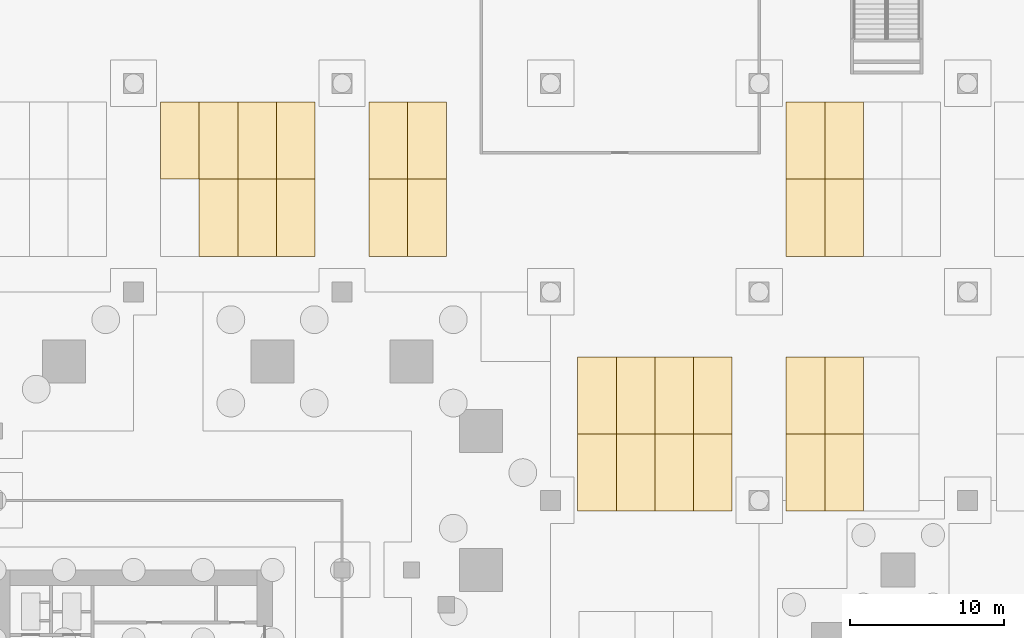
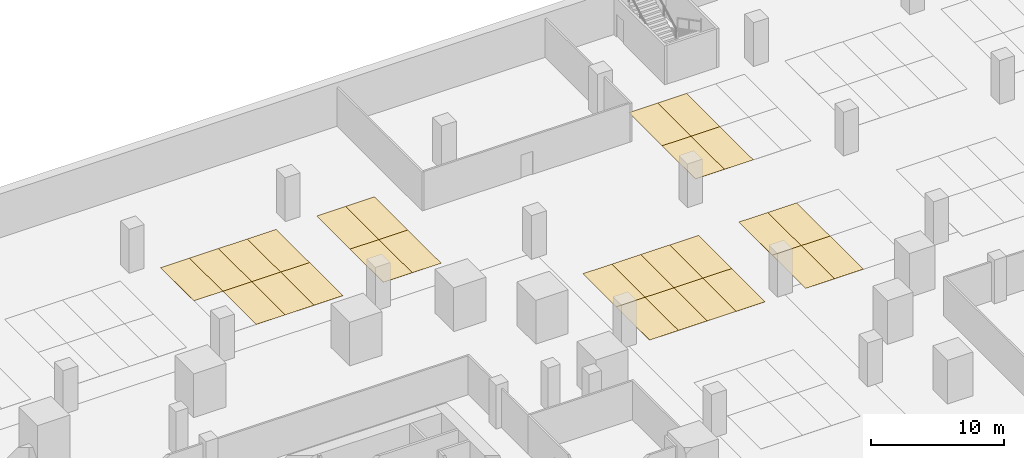
# One storey, part 34 of 40: 27 coverings.
"""IFC4 building model written with IfcOpenShell, lengths in metres."""

from ifc_helpers import new_model, si_unit, direction, frame, origin, place, context, subcontext, project, spatial, polyline, outline, extrude, material, layer, layer_set, type_object, element, save


model = new_model("IFC4")

# Units and contexts
model_context = context("Model", 3, precision=1e-05, world=origin(), true_north=direction((0.0, 1.0)))
body_context = subcontext(model_context, "Body", "Model", "MODEL_VIEW")
ifc_project = project(units=[si_unit("LENGTHUNIT", "METRE"), si_unit("AREAUNIT", "SQUARE_METRE"), si_unit("VOLUMEUNIT", "CUBIC_METRE"), si_unit("PLANEANGLEUNIT", "RADIAN"), si_unit("MASSUNIT", "GRAM", prefix="KILO")], contexts=[model_context])

# Site, building, storey
site_placement = place(None, origin())
site = spatial("IfcSite", under=ifc_project, at=site_placement, CompositionType="ELEMENT")
building_placement = place(site_placement, origin())
building = spatial("IfcBuilding", under=site, at=building_placement, Name="Altepetl Exchange Towers", CompositionType="ELEMENT")
storey_placement = place(building_placement, frame((0.0, 0.0, -8.0)))
storey = spatial("IfcBuildingStorey", under=building, at=storey_placement, Name="B2 Basement parking", CompositionType="ELEMENT", Elevation=-8.0)

# Coverings
ifc_material = material(Name="Road marking paint")
ifc_layer = layer(ifc_material, 0.010009765625)
ifc_layer_set = layer_set([ifc_layer], Name="Road marking paint")
covering_type = type_object("IfcCoveringType", Name="Parking bay marking 2500 x 5000", PredefinedType="FLOORING", material=ifc_layer_set)
covering_1_placement = place(storey_placement, origin())
element("IfcCovering", 1, at=covering_1_placement, inside=storey, type_object=covering_type, Name="Parking bay B2-091", PredefinedType="FLOORING", context=body_context, shape_type="SweptSolid", body=[
    extrude(outline(polyline([(78.25, 62.300048828125), (80.75, 62.300048828125), (80.75, 67.300048828125), (78.25, 67.300048828125), (78.25, 62.300048828125)])), origin(), (0.0, 0.0, 1.0), 0.010009765625),
])
covering_2_placement = place(storey_placement, origin())
element("IfcCovering", 2, at=covering_2_placement, inside=storey, type_object=covering_type, Name="Parking bay B2-092", PredefinedType="FLOORING", context=body_context, shape_type="SweptSolid", body=[
    extrude(outline(polyline([(80.75, 62.300048828125), (83.25, 62.300048828125), (83.25, 67.300048828125), (80.75, 67.300048828125), (80.75, 62.300048828125)])), origin(), (0.0, 0.0, 1.0), 0.010009765625),
])
covering_3_placement = place(storey_placement, origin())
element("IfcCovering", 3, at=covering_3_placement, inside=storey, type_object=covering_type, Name="Parking bay B2-093", PredefinedType="FLOORING", context=body_context, shape_type="SweptSolid", body=[
    extrude(outline(polyline([(83.25, 62.300048828125), (85.75, 62.300048828125), (85.75, 67.300048828125), (83.25, 67.300048828125), (83.25, 62.300048828125)])), origin(), (0.0, 0.0, 1.0), 0.010009765625),
])
covering_4_placement = place(storey_placement, origin())
element("IfcCovering", 4, at=covering_4_placement, inside=storey, type_object=covering_type, Name="Parking bay B2-094", PredefinedType="FLOORING", context=body_context, shape_type="SweptSolid", body=[
    extrude(outline(polyline([(85.75, 62.300048828125), (88.25, 62.300048828125), (88.25, 67.300048828125), (85.75, 67.300048828125), (85.75, 62.300048828125)])), origin(), (0.0, 0.0, 1.0), 0.010009765625),
])
covering_5_placement = place(storey_placement, origin())
element("IfcCovering", 5, at=covering_5_placement, inside=storey, type_object=covering_type, Name="Parking bay B2-095", PredefinedType="FLOORING", context=body_context, shape_type="SweptSolid", body=[
    extrude(outline(polyline([(91.75, 62.300048828125), (94.25, 62.300048828125), (94.25, 67.300048828125), (91.75, 67.300048828125), (91.75, 62.300048828125)])), origin(), (0.0, 0.0, 1.0), 0.010009765625),
])
covering_6_placement = place(storey_placement, origin())
element("IfcCovering", 6, at=covering_6_placement, inside=storey, type_object=covering_type, Name="Parking bay B2-096", PredefinedType="FLOORING", context=body_context, shape_type="SweptSolid", body=[
    extrude(outline(polyline([(94.25, 62.300048828125), (96.75, 62.300048828125), (96.75, 67.300048828125), (94.25, 67.300048828125), (94.25, 62.300048828125)])), origin(), (0.0, 0.0, 1.0), 0.010009765625),
])
covering_7_placement = place(storey_placement, origin())
element("IfcCovering", 7, at=covering_7_placement, inside=storey, type_object=covering_type, Name="Parking bay B2-103", PredefinedType="FLOORING", context=body_context, shape_type="SweptSolid", body=[
    extrude(outline(polyline([(78.25, 67.300048828125), (80.75, 67.300048828125), (80.75, 72.300048828125), (78.25, 72.300048828125), (78.25, 67.300048828125)])), origin(), (0.0, 0.0, 1.0), 0.010009765625),
])
covering_8_placement = place(storey_placement, origin())
element("IfcCovering", 8, at=covering_8_placement, inside=storey, type_object=covering_type, Name="Parking bay B2-104", PredefinedType="FLOORING", context=body_context, shape_type="SweptSolid", body=[
    extrude(outline(polyline([(80.75, 67.300048828125), (83.25, 67.300048828125), (83.25, 72.300048828125), (80.75, 72.300048828125), (80.75, 67.300048828125)])), origin(), (0.0, 0.0, 1.0), 0.010009765625),
])
covering_9_placement = place(storey_placement, origin())
element("IfcCovering", 9, at=covering_9_placement, inside=storey, type_object=covering_type, Name="Parking bay B2-105", PredefinedType="FLOORING", context=body_context, shape_type="SweptSolid", body=[
    extrude(outline(polyline([(83.25, 67.300048828125), (85.75, 67.300048828125), (85.75, 72.300048828125), (83.25, 72.300048828125), (83.25, 67.300048828125)])), origin(), (0.0, 0.0, 1.0), 0.010009765625),
])
covering_10_placement = place(storey_placement, origin())
element("IfcCovering", 10, at=covering_10_placement, inside=storey, type_object=covering_type, Name="Parking bay B2-106", PredefinedType="FLOORING", context=body_context, shape_type="SweptSolid", body=[
    extrude(outline(polyline([(85.75, 67.300048828125), (88.25, 67.300048828125), (88.25, 72.300048828125), (85.75, 72.300048828125), (85.75, 67.300048828125)])), origin(), (0.0, 0.0, 1.0), 0.010009765625),
])
covering_11_placement = place(storey_placement, origin())
element("IfcCovering", 11, at=covering_11_placement, inside=storey, type_object=covering_type, Name="Parking bay B2-107", PredefinedType="FLOORING", context=body_context, shape_type="SweptSolid", body=[
    extrude(outline(polyline([(91.75, 67.300048828125), (94.25, 67.300048828125), (94.25, 72.300048828125), (91.75, 72.300048828125), (91.75, 67.300048828125)])), origin(), (0.0, 0.0, 1.0), 0.010009765625),
])
covering_12_placement = place(storey_placement, origin())
element("IfcCovering", 12, at=covering_12_placement, inside=storey, type_object=covering_type, Name="Parking bay B2-108", PredefinedType="FLOORING", context=body_context, shape_type="SweptSolid", body=[
    extrude(outline(polyline([(94.25, 67.300048828125), (96.75, 67.300048828125), (96.75, 72.300048828125), (94.25, 72.300048828125), (94.25, 67.300048828125)])), origin(), (0.0, 0.0, 1.0), 0.010009765625),
])
covering_13_placement = place(storey_placement, origin())
element("IfcCovering", 13, at=covering_13_placement, inside=storey, type_object=covering_type, Name="Parking bay B2-124", PredefinedType="FLOORING", context=body_context, shape_type="SweptSolid", body=[
    extrude(outline(polyline([(53.75, 78.800048828125), (56.25, 78.800048828125), (56.25, 83.800048828125), (53.75, 83.800048828125), (53.75, 78.800048828125)])), origin(), (0.0, 0.0, 1.0), 0.010009765625),
])
covering_14_placement = place(storey_placement, origin())
element("IfcCovering", 14, at=covering_14_placement, inside=storey, type_object=covering_type, Name="Parking bay B2-125", PredefinedType="FLOORING", context=body_context, shape_type="SweptSolid", body=[
    extrude(outline(polyline([(56.25, 78.800048828125), (58.75, 78.800048828125), (58.75, 83.800048828125), (56.25, 83.800048828125), (56.25, 78.800048828125)])), origin(), (0.0, 0.0, 1.0), 0.010009765625),
])
covering_15_placement = place(storey_placement, origin())
element("IfcCovering", 15, at=covering_15_placement, inside=storey, type_object=covering_type, Name="Parking bay B2-126", PredefinedType="FLOORING", context=body_context, shape_type="SweptSolid", body=[
    extrude(outline(polyline([(58.75, 78.800048828125), (61.25, 78.800048828125), (61.25, 83.800048828125), (58.75, 83.800048828125), (58.75, 78.800048828125)])), origin(), (0.0, 0.0, 1.0), 0.010009765625),
])
covering_16_placement = place(storey_placement, origin())
element("IfcCovering", 16, at=covering_16_placement, inside=storey, type_object=covering_type, Name="Parking bay B2-127", PredefinedType="FLOORING", context=body_context, shape_type="SweptSolid", body=[
    extrude(outline(polyline([(64.75, 78.800048828125), (67.25, 78.800048828125), (67.25, 83.800048828125), (64.75, 83.800048828125), (64.75, 78.800048828125)])), origin(), (0.0, 0.0, 1.0), 0.010009765625),
])
covering_17_placement = place(storey_placement, origin())
element("IfcCovering", 17, at=covering_17_placement, inside=storey, type_object=covering_type, Name="Parking bay B2-128", PredefinedType="FLOORING", context=body_context, shape_type="SweptSolid", body=[
    extrude(outline(polyline([(67.25, 78.800048828125), (69.75, 78.800048828125), (69.75, 83.800048828125), (67.25, 83.800048828125), (67.25, 78.800048828125)])), origin(), (0.0, 0.0, 1.0), 0.010009765625),
])
covering_18_placement = place(storey_placement, origin())
element("IfcCovering", 18, at=covering_18_placement, inside=storey, type_object=covering_type, Name="Parking bay B2-129", PredefinedType="FLOORING", context=body_context, shape_type="SweptSolid", body=[
    extrude(outline(polyline([(91.75, 78.800048828125), (94.25, 78.800048828125), (94.25, 83.800048828125), (91.75, 83.800048828125), (91.75, 78.800048828125)])), origin(), (0.0, 0.0, 1.0), 0.010009765625),
])
covering_19_placement = place(storey_placement, origin())
element("IfcCovering", 19, at=covering_19_placement, inside=storey, type_object=covering_type, Name="Parking bay B2-130", PredefinedType="FLOORING", context=body_context, shape_type="SweptSolid", body=[
    extrude(outline(polyline([(94.25, 78.800048828125), (96.75, 78.800048828125), (96.75, 83.800048828125), (94.25, 83.800048828125), (94.25, 78.800048828125)])), origin(), (0.0, 0.0, 1.0), 0.010009765625),
])
covering_20_placement = place(storey_placement, origin())
element("IfcCovering", 20, at=covering_20_placement, inside=storey, type_object=covering_type, Name="Parking bay B2-149", PredefinedType="FLOORING", context=body_context, shape_type="SweptSolid", body=[
    extrude(outline(polyline([(51.25, 83.800048828125), (53.75, 83.800048828125), (53.75, 88.800048828125), (51.25, 88.800048828125), (51.25, 83.800048828125)])), origin(), (0.0, 0.0, 1.0), 0.010009765625),
])
covering_21_placement = place(storey_placement, origin())
element("IfcCovering", 21, at=covering_21_placement, inside=storey, type_object=covering_type, Name="Parking bay B2-150", PredefinedType="FLOORING", context=body_context, shape_type="SweptSolid", body=[
    extrude(outline(polyline([(53.75, 83.800048828125), (56.25, 83.800048828125), (56.25, 88.800048828125), (53.75, 88.800048828125), (53.75, 83.800048828125)])), origin(), (0.0, 0.0, 1.0), 0.010009765625),
])
covering_22_placement = place(storey_placement, origin())
element("IfcCovering", 22, at=covering_22_placement, inside=storey, type_object=covering_type, Name="Parking bay B2-151", PredefinedType="FLOORING", context=body_context, shape_type="SweptSolid", body=[
    extrude(outline(polyline([(56.25, 83.800048828125), (58.75, 83.800048828125), (58.75, 88.800048828125), (56.25, 88.800048828125), (56.25, 83.800048828125)])), origin(), (0.0, 0.0, 1.0), 0.010009765625),
])
covering_23_placement = place(storey_placement, origin())
element("IfcCovering", 23, at=covering_23_placement, inside=storey, type_object=covering_type, Name="Parking bay B2-152", PredefinedType="FLOORING", context=body_context, shape_type="SweptSolid", body=[
    extrude(outline(polyline([(58.75, 83.800048828125), (61.25, 83.800048828125), (61.25, 88.800048828125), (58.75, 88.800048828125), (58.75, 83.800048828125)])), origin(), (0.0, 0.0, 1.0), 0.010009765625),
])
covering_24_placement = place(storey_placement, origin())
element("IfcCovering", 24, at=covering_24_placement, inside=storey, type_object=covering_type, Name="Parking bay B2-153", PredefinedType="FLOORING", context=body_context, shape_type="SweptSolid", body=[
    extrude(outline(polyline([(64.75, 83.800048828125), (67.25, 83.800048828125), (67.25, 88.800048828125), (64.75, 88.800048828125), (64.75, 83.800048828125)])), origin(), (0.0, 0.0, 1.0), 0.010009765625),
])
covering_25_placement = place(storey_placement, origin())
element("IfcCovering", 25, at=covering_25_placement, inside=storey, type_object=covering_type, Name="Parking bay B2-154", PredefinedType="FLOORING", context=body_context, shape_type="SweptSolid", body=[
    extrude(outline(polyline([(67.25, 83.800048828125), (69.75, 83.800048828125), (69.75, 88.800048828125), (67.25, 88.800048828125), (67.25, 83.800048828125)])), origin(), (0.0, 0.0, 1.0), 0.010009765625),
])
covering_26_placement = place(storey_placement, origin())
element("IfcCovering", 26, at=covering_26_placement, inside=storey, type_object=covering_type, Name="Parking bay B2-155", PredefinedType="FLOORING", context=body_context, shape_type="SweptSolid", body=[
    extrude(outline(polyline([(91.75, 83.800048828125), (94.25, 83.800048828125), (94.25, 88.800048828125), (91.75, 88.800048828125), (91.75, 83.800048828125)])), origin(), (0.0, 0.0, 1.0), 0.010009765625),
])
covering_27_placement = place(storey_placement, origin())
element("IfcCovering", 27, at=covering_27_placement, inside=storey, type_object=covering_type, Name="Parking bay B2-156", PredefinedType="FLOORING", context=body_context, shape_type="SweptSolid", body=[
    extrude(outline(polyline([(94.25, 83.800048828125), (96.75, 83.800048828125), (96.75, 88.800048828125), (94.25, 88.800048828125), (94.25, 83.800048828125)])), origin(), (0.0, 0.0, 1.0), 0.010009765625),
])

save(model, "model.ifc")
